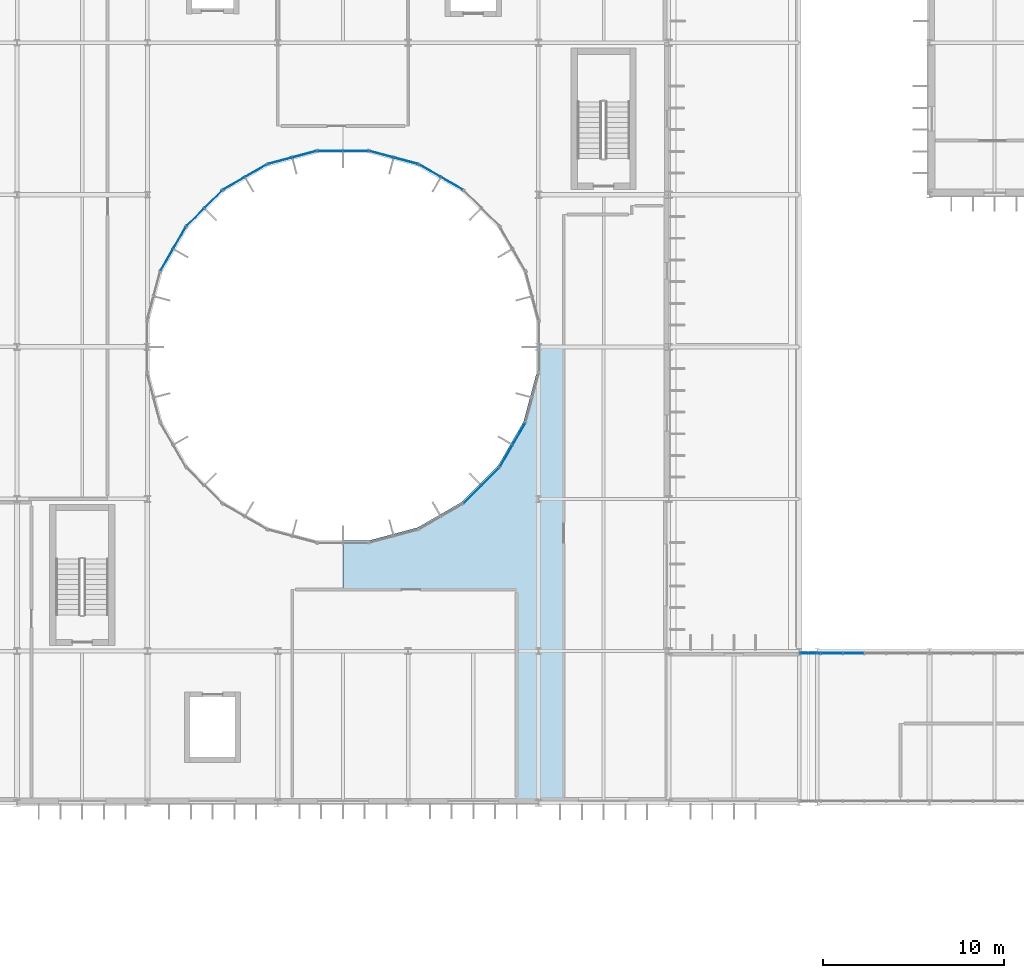
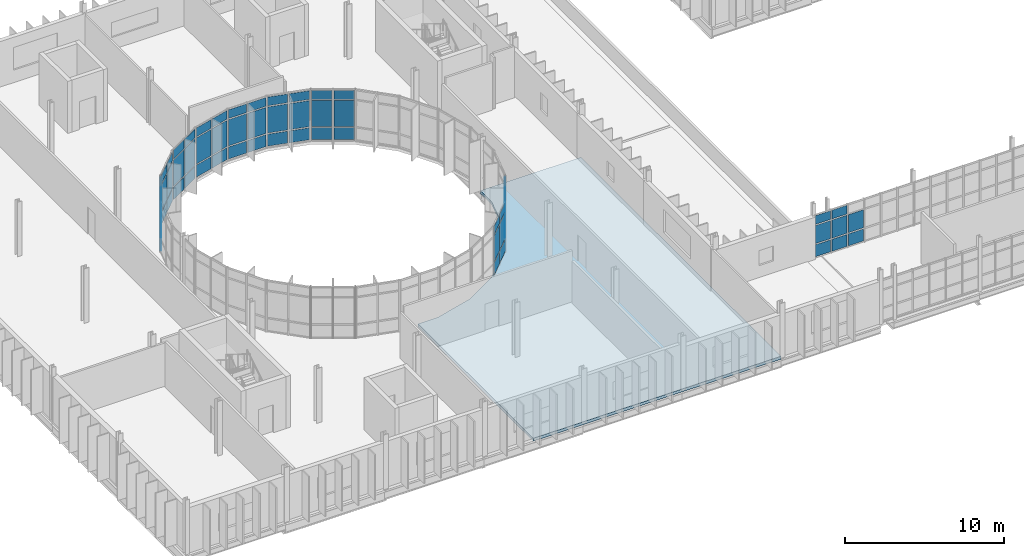
# One storey, part 61 of 99: 62 plates, 1 slab, 10 elements without a shape of their own.
"""IFC4 building model written with IfcOpenShell, lengths in metres."""

from ifc_helpers import new_model, si_unit, direction, frame, origin, origin_2d, place, context, subcontext, project, spatial, polyline, rectangle, outline, extrude, material, layer, layer_set, type_object, element, aggregate, save


model = new_model("IFC4")

# Units and contexts
model_context = context("Model", 3, precision=1e-05, world=origin(), true_north=direction((0.0, 1.0)))
body_context = subcontext(model_context, "Body", "Model", "MODEL_VIEW")
ifc_project = project(units=[si_unit("LENGTHUNIT", "METRE"), si_unit("AREAUNIT", "SQUARE_METRE"), si_unit("VOLUMEUNIT", "CUBIC_METRE"), si_unit("PLANEANGLEUNIT", "RADIAN"), si_unit("MASSUNIT", "GRAM", prefix="KILO")], contexts=[model_context])

# Site, building, storey
site_placement = place(None, origin())
site = spatial("IfcSite", under=ifc_project, at=site_placement, CompositionType="ELEMENT")
building_placement = place(site_placement, origin())
building = spatial("IfcBuilding", under=site, at=building_placement, Name="Qelthora Terrace Specialist Clinic", CompositionType="ELEMENT")
storey_placement = place(building_placement, frame((0.0, 0.0, 9.0)))
storey = spatial("IfcBuildingStorey", under=building, at=storey_placement, Name="L02", CompositionType="ELEMENT", Elevation=9.0)

# Curtain wall, plates
ifc_material_1 = material(Name="Aluminium anodized bronze", Category="aluminium")
curtain_wall_type_1 = type_object("IfcCurtainWallType", Name="CW-CRTW-UPP", PredefinedType="NOTDEFINED", material=ifc_material_1)
curtain_wall_1_placement = place(storey_placement, origin())
curtain_wall_1 = element("IfcCurtainWall", 1, at=curtain_wall_1_placement, inside=storey, type_object=curtain_wall_type_1, Name="Curtain wall CW-CW-L02-04", PredefinedType="NOTDEFINED")
ifc_material_2 = material(Name="Low-E triple-silver insulating glass", Category="glass")
ifc_layer_1 = layer(ifc_material_2, 0.035888671875)
ifc_layer_set_1 = layer_set([ifc_layer_1], Name="Low-E triple-silver insulating glass")
plate_type = type_object("IfcPlateType", Name="CWP-IGU-36", PredefinedType="CURTAIN_PANEL", material=ifc_layer_set_1)
plate_1_placement = place(storey_placement, frame((31.22412109375, 93.024658203125, 0.0849609375), z_axis=(0.0, 0.0, 1.0), x_axis=(-0.866025403784, 0.5, 0.0)))
plate_1 = element("IfcPlate", 2, at=plate_1_placement, type_object=plate_type, Name="CW-CW-L02-04 glazed panel 1", PredefinedType="CURTAIN_PANEL", context=body_context, shape_type="SweptSolid", body=[
    extrude(rectangle(XDim=1.3095703125, YDim=0.035888671875, at=origin_2d()), origin(), (0.0, 0.0, 1.0), 0.919921875),
])
plate_2_placement = place(storey_placement, frame((31.22412109375, 93.024658203125, 1.094970703125), z_axis=(0.0, 0.0, 1.0), x_axis=(-0.866025403784, 0.5, 0.0)))
plate_2 = element("IfcPlate", 3, at=plate_2_placement, type_object=plate_type, Name="CW-CW-L02-04 glazed panel 2", PredefinedType="CURTAIN_PANEL", context=body_context, shape_type="SweptSolid", body=[
    extrude(rectangle(XDim=1.3095703125, YDim=0.035888671875, at=origin_2d()), origin(), (0.0, 0.0, 1.0), 2.0048828125),
])
plate_3_placement = place(storey_placement, frame((31.22412109375, 93.024658203125, 3.18994140625), z_axis=(0.0, 0.0, 1.0), x_axis=(-0.866025403784, 0.5, 0.0)))
plate_3 = element("IfcPlate", 4, at=plate_3_placement, type_object=plate_type, Name="CW-CW-L02-04 glazed panel 3", PredefinedType="CURTAIN_PANEL", context=body_context, shape_type="SweptSolid", body=[
    extrude(rectangle(XDim=1.3095703125, YDim=0.035888671875, at=origin_2d()), origin(), (0.0, 0.0, 1.0), 0.669921875),
])
plate_4_placement = place(storey_placement, frame((30.00341796875, 93.7294921875, 0.0849609375), z_axis=(0.0, 0.0, 1.0), x_axis=(-0.866025403784, 0.5, 0.0)))
plate_4 = element("IfcPlate", 5, at=plate_4_placement, type_object=plate_type, Name="CW-CW-L02-04 glazed panel 4", PredefinedType="CURTAIN_PANEL", context=body_context, shape_type="SweptSolid", body=[
    extrude(rectangle(XDim=1.3095703125, YDim=0.035888671875, at=origin_2d()), origin(), (0.0, 0.0, 1.0), 0.919921875),
])
plate_5_placement = place(storey_placement, frame((30.00341796875, 93.7294921875, 1.094970703125), z_axis=(0.0, 0.0, 1.0), x_axis=(-0.866025403784, 0.5, 0.0)))
plate_5 = element("IfcPlate", 6, at=plate_5_placement, type_object=plate_type, Name="CW-CW-L02-04 glazed panel 5", PredefinedType="CURTAIN_PANEL", context=body_context, shape_type="SweptSolid", body=[
    extrude(rectangle(XDim=1.3095703125, YDim=0.035888671875, at=origin_2d()), origin(), (0.0, 0.0, 1.0), 2.0048828125),
])
plate_6_placement = place(storey_placement, frame((30.00341796875, 93.7294921875, 3.18994140625), z_axis=(0.0, 0.0, 1.0), x_axis=(-0.866025403784, 0.5, 0.0)))
plate_6 = element("IfcPlate", 7, at=plate_6_placement, type_object=plate_type, Name="CW-CW-L02-04 glazed panel 6", PredefinedType="CURTAIN_PANEL", context=body_context, shape_type="SweptSolid", body=[
    extrude(rectangle(XDim=1.3095703125, YDim=0.035888671875, at=origin_2d()), origin(), (0.0, 0.0, 1.0), 0.669921875),
])
aggregate(curtain_wall_1, [plate_1, plate_2, plate_3, plate_4, plate_5, plate_6])

curtain_wall_2_placement = place(storey_placement, origin())
curtain_wall_2 = element("IfcCurtainWall", 8, at=curtain_wall_2_placement, inside=storey, type_object=curtain_wall_type_1, Name="Curtain wall CW-CW-L02-05", PredefinedType="NOTDEFINED")
plate_7_placement = place(storey_placement, frame((28.68310546875, 94.276123046875, 0.0849609375), z_axis=(0.0, 0.0, 1.0), x_axis=(-0.965925374563, 0.258820730961, 0.0)))
plate_7 = element("IfcPlate", 9, at=plate_7_placement, type_object=plate_type, Name="CW-CW-L02-05 glazed panel 1", PredefinedType="CURTAIN_PANEL", context=body_context, shape_type="SweptSolid", body=[
    extrude(rectangle(XDim=1.3095703125, YDim=0.035888671875, at=origin_2d()), origin(), (0.0, 0.0, 1.0), 0.919921875),
])
plate_8_placement = place(storey_placement, frame((28.68310546875, 94.276123046875, 1.094970703125), z_axis=(0.0, 0.0, 1.0), x_axis=(-0.965925374563, 0.258820730961, 0.0)))
plate_8 = element("IfcPlate", 10, at=plate_8_placement, type_object=plate_type, Name="CW-CW-L02-05 glazed panel 2", PredefinedType="CURTAIN_PANEL", context=body_context, shape_type="SweptSolid", body=[
    extrude(rectangle(XDim=1.3095703125, YDim=0.035888671875, at=origin_2d()), origin(), (0.0, 0.0, 1.0), 2.0048828125),
])
plate_9_placement = place(storey_placement, frame((28.68310546875, 94.276123046875, 3.18994140625), z_axis=(0.0, 0.0, 1.0), x_axis=(-0.965925374563, 0.258820730961, 0.0)))
plate_9 = element("IfcPlate", 11, at=plate_9_placement, type_object=plate_type, Name="CW-CW-L02-05 glazed panel 3", PredefinedType="CURTAIN_PANEL", context=body_context, shape_type="SweptSolid", body=[
    extrude(rectangle(XDim=1.3095703125, YDim=0.035888671875, at=origin_2d()), origin(), (0.0, 0.0, 1.0), 0.669921875),
])
plate_10_placement = place(storey_placement, frame((27.321533203125, 94.64111328125, 0.0849609375), z_axis=(0.0, 0.0, 1.0), x_axis=(-0.965925374563, 0.258820730961, 0.0)))
plate_10 = element("IfcPlate", 12, at=plate_10_placement, type_object=plate_type, Name="CW-CW-L02-05 glazed panel 4", PredefinedType="CURTAIN_PANEL", context=body_context, shape_type="SweptSolid", body=[
    extrude(rectangle(XDim=1.3095703125, YDim=0.035888671875, at=origin_2d()), origin(), (0.0, 0.0, 1.0), 0.919921875),
])
plate_11_placement = place(storey_placement, frame((27.321533203125, 94.64111328125, 1.094970703125), z_axis=(0.0, 0.0, 1.0), x_axis=(-0.965925374563, 0.258820730961, 0.0)))
plate_11 = element("IfcPlate", 13, at=plate_11_placement, type_object=plate_type, Name="CW-CW-L02-05 glazed panel 5", PredefinedType="CURTAIN_PANEL", context=body_context, shape_type="SweptSolid", body=[
    extrude(rectangle(XDim=1.3095703125, YDim=0.035888671875, at=origin_2d()), origin(), (0.0, 0.0, 1.0), 2.0048828125),
])
plate_12_placement = place(storey_placement, frame((27.321533203125, 94.64111328125, 3.18994140625), z_axis=(0.0, 0.0, 1.0), x_axis=(-0.965925374563, 0.258820730961, 0.0)))
plate_12 = element("IfcPlate", 14, at=plate_12_placement, type_object=plate_type, Name="CW-CW-L02-05 glazed panel 6", PredefinedType="CURTAIN_PANEL", context=body_context, shape_type="SweptSolid", body=[
    extrude(rectangle(XDim=1.3095703125, YDim=0.035888671875, at=origin_2d()), origin(), (0.0, 0.0, 1.0), 0.669921875),
])
aggregate(curtain_wall_2, [plate_7, plate_8, plate_9, plate_10, plate_11, plate_12])

curtain_wall_3_placement = place(storey_placement, origin())
curtain_wall_3 = element("IfcCurtainWall", 15, at=curtain_wall_3_placement, inside=storey, type_object=curtain_wall_type_1, Name="Curtain wall CW-CW-L02-06", PredefinedType="NOTDEFINED")
plate_13_placement = place(storey_placement, frame((25.90478515625, 94.82763671875, 0.0849609375), z_axis=(0.0, 0.0, 1.0), x_axis=(-1.0, 0.0, 0.0)))
plate_13 = element("IfcPlate", 16, at=plate_13_placement, type_object=plate_type, Name="CW-CW-L02-06 glazed panel 1", PredefinedType="CURTAIN_PANEL", context=body_context, shape_type="SweptSolid", body=[
    extrude(rectangle(XDim=1.3095703125, YDim=0.035888671875, at=origin_2d()), origin(), (0.0, 0.0, 1.0), 0.919921875),
])
plate_14_placement = place(storey_placement, frame((25.90478515625, 94.82763671875, 1.094970703125), z_axis=(0.0, 0.0, 1.0), x_axis=(-1.0, 0.0, 0.0)))
plate_14 = element("IfcPlate", 17, at=plate_14_placement, type_object=plate_type, Name="CW-CW-L02-06 glazed panel 2", PredefinedType="CURTAIN_PANEL", context=body_context, shape_type="SweptSolid", body=[
    extrude(rectangle(XDim=1.3095703125, YDim=0.035888671875, at=origin_2d()), origin(), (0.0, 0.0, 1.0), 2.0048828125),
])
plate_15_placement = place(storey_placement, frame((25.90478515625, 94.82763671875, 3.18994140625), z_axis=(0.0, 0.0, 1.0), x_axis=(-1.0, 0.0, 0.0)))
plate_15 = element("IfcPlate", 18, at=plate_15_placement, type_object=plate_type, Name="CW-CW-L02-06 glazed panel 3", PredefinedType="CURTAIN_PANEL", context=body_context, shape_type="SweptSolid", body=[
    extrude(rectangle(XDim=1.3095703125, YDim=0.035888671875, at=origin_2d()), origin(), (0.0, 0.0, 1.0), 0.669921875),
])
plate_16_placement = place(storey_placement, frame((24.4951171875, 94.82763671875, 0.0849609375), z_axis=(0.0, 0.0, 1.0), x_axis=(-1.0, 0.0, 0.0)))
plate_16 = element("IfcPlate", 19, at=plate_16_placement, type_object=plate_type, Name="CW-CW-L02-06 glazed panel 4", PredefinedType="CURTAIN_PANEL", context=body_context, shape_type="SweptSolid", body=[
    extrude(rectangle(XDim=1.3095703125, YDim=0.035888671875, at=origin_2d()), origin(), (0.0, 0.0, 1.0), 0.919921875),
])
plate_17_placement = place(storey_placement, frame((24.4951171875, 94.82763671875, 1.094970703125), z_axis=(0.0, 0.0, 1.0), x_axis=(-1.0, 0.0, 0.0)))
plate_17 = element("IfcPlate", 20, at=plate_17_placement, type_object=plate_type, Name="CW-CW-L02-06 glazed panel 5", PredefinedType="CURTAIN_PANEL", context=body_context, shape_type="SweptSolid", body=[
    extrude(rectangle(XDim=1.3095703125, YDim=0.035888671875, at=origin_2d()), origin(), (0.0, 0.0, 1.0), 2.0048828125),
])
plate_18_placement = place(storey_placement, frame((24.4951171875, 94.82763671875, 3.18994140625), z_axis=(0.0, 0.0, 1.0), x_axis=(-1.0, 0.0, 0.0)))
plate_18 = element("IfcPlate", 21, at=plate_18_placement, type_object=plate_type, Name="CW-CW-L02-06 glazed panel 6", PredefinedType="CURTAIN_PANEL", context=body_context, shape_type="SweptSolid", body=[
    extrude(rectangle(XDim=1.3095703125, YDim=0.035888671875, at=origin_2d()), origin(), (0.0, 0.0, 1.0), 0.669921875),
])
aggregate(curtain_wall_3, [plate_13, plate_14, plate_15, plate_16, plate_17, plate_18])

curtain_wall_4_placement = place(storey_placement, origin())
curtain_wall_4 = element("IfcCurtainWall", 22, at=curtain_wall_4_placement, inside=storey, type_object=curtain_wall_type_1, Name="Curtain wall CW-CW-L02-07", PredefinedType="NOTDEFINED")
plate_19_placement = place(storey_placement, frame((23.078369140625, 94.64111328125, 0.0849609375), z_axis=(0.0, 0.0, 1.0), x_axis=(-0.965925374563, -0.258820730961, 0.0)))
plate_19 = element("IfcPlate", 23, at=plate_19_placement, type_object=plate_type, Name="CW-CW-L02-07 glazed panel 1", PredefinedType="CURTAIN_PANEL", context=body_context, shape_type="SweptSolid", body=[
    extrude(rectangle(XDim=1.3095703125, YDim=0.035888671875, at=origin_2d()), origin(), (0.0, 0.0, 1.0), 0.919921875),
])
plate_20_placement = place(storey_placement, frame((23.078369140625, 94.64111328125, 1.094970703125), z_axis=(0.0, 0.0, 1.0), x_axis=(-0.965925374563, -0.258820730961, 0.0)))
plate_20 = element("IfcPlate", 24, at=plate_20_placement, type_object=plate_type, Name="CW-CW-L02-07 glazed panel 2", PredefinedType="CURTAIN_PANEL", context=body_context, shape_type="SweptSolid", body=[
    extrude(rectangle(XDim=1.3095703125, YDim=0.035888671875, at=origin_2d()), origin(), (0.0, 0.0, 1.0), 2.0048828125),
])
plate_21_placement = place(storey_placement, frame((23.078369140625, 94.64111328125, 3.18994140625), z_axis=(0.0, 0.0, 1.0), x_axis=(-0.965925374563, -0.258820730961, 0.0)))
plate_21 = element("IfcPlate", 25, at=plate_21_placement, type_object=plate_type, Name="CW-CW-L02-07 glazed panel 3", PredefinedType="CURTAIN_PANEL", context=body_context, shape_type="SweptSolid", body=[
    extrude(rectangle(XDim=1.3095703125, YDim=0.035888671875, at=origin_2d()), origin(), (0.0, 0.0, 1.0), 0.669921875),
])
plate_22_placement = place(storey_placement, frame((21.716796875, 94.276123046875, 0.0849609375), z_axis=(0.0, 0.0, 1.0), x_axis=(-0.965925374563, -0.258820730961, 0.0)))
plate_22 = element("IfcPlate", 26, at=plate_22_placement, type_object=plate_type, Name="CW-CW-L02-07 glazed panel 4", PredefinedType="CURTAIN_PANEL", context=body_context, shape_type="SweptSolid", body=[
    extrude(rectangle(XDim=1.3095703125, YDim=0.035888671875, at=origin_2d()), origin(), (0.0, 0.0, 1.0), 0.919921875),
])
plate_23_placement = place(storey_placement, frame((21.716796875, 94.276123046875, 1.094970703125), z_axis=(0.0, 0.0, 1.0), x_axis=(-0.965925374563, -0.258820730961, 0.0)))
plate_23 = element("IfcPlate", 27, at=plate_23_placement, type_object=plate_type, Name="CW-CW-L02-07 glazed panel 5", PredefinedType="CURTAIN_PANEL", context=body_context, shape_type="SweptSolid", body=[
    extrude(rectangle(XDim=1.3095703125, YDim=0.035888671875, at=origin_2d()), origin(), (0.0, 0.0, 1.0), 2.0048828125),
])
plate_24_placement = place(storey_placement, frame((21.716796875, 94.276123046875, 3.18994140625), z_axis=(0.0, 0.0, 1.0), x_axis=(-0.965925374563, -0.258820730961, 0.0)))
plate_24 = element("IfcPlate", 28, at=plate_24_placement, type_object=plate_type, Name="CW-CW-L02-07 glazed panel 6", PredefinedType="CURTAIN_PANEL", context=body_context, shape_type="SweptSolid", body=[
    extrude(rectangle(XDim=1.3095703125, YDim=0.035888671875, at=origin_2d()), origin(), (0.0, 0.0, 1.0), 0.669921875),
])
aggregate(curtain_wall_4, [plate_19, plate_20, plate_21, plate_22, plate_23, plate_24])

curtain_wall_5_placement = place(storey_placement, origin())
curtain_wall_5 = element("IfcCurtainWall", 29, at=curtain_wall_5_placement, inside=storey, type_object=curtain_wall_type_1, Name="Curtain wall CW-CW-L02-08", PredefinedType="NOTDEFINED")
plate_25_placement = place(storey_placement, frame((20.396728515625, 93.7294921875, 0.0849609375), z_axis=(0.0, 0.0, 1.0), x_axis=(-0.866025403784, -0.5, 0.0)))
plate_25 = element("IfcPlate", 30, at=plate_25_placement, type_object=plate_type, Name="CW-CW-L02-08 glazed panel 1", PredefinedType="CURTAIN_PANEL", context=body_context, shape_type="SweptSolid", body=[
    extrude(rectangle(XDim=1.3095703125, YDim=0.035888671875, at=origin_2d()), origin(), (0.0, 0.0, 1.0), 0.919921875),
])
plate_26_placement = place(storey_placement, frame((20.396728515625, 93.7294921875, 1.094970703125), z_axis=(0.0, 0.0, 1.0), x_axis=(-0.866025403784, -0.5, 0.0)))
plate_26 = element("IfcPlate", 31, at=plate_26_placement, type_object=plate_type, Name="CW-CW-L02-08 glazed panel 2", PredefinedType="CURTAIN_PANEL", context=body_context, shape_type="SweptSolid", body=[
    extrude(rectangle(XDim=1.3095703125, YDim=0.035888671875, at=origin_2d()), origin(), (0.0, 0.0, 1.0), 2.0048828125),
])
plate_27_placement = place(storey_placement, frame((20.396728515625, 93.7294921875, 3.18994140625), z_axis=(0.0, 0.0, 1.0), x_axis=(-0.866025403784, -0.5, 0.0)))
plate_27 = element("IfcPlate", 32, at=plate_27_placement, type_object=plate_type, Name="CW-CW-L02-08 glazed panel 3", PredefinedType="CURTAIN_PANEL", context=body_context, shape_type="SweptSolid", body=[
    extrude(rectangle(XDim=1.3095703125, YDim=0.035888671875, at=origin_2d()), origin(), (0.0, 0.0, 1.0), 0.669921875),
])
plate_28_placement = place(storey_placement, frame((19.17578125, 93.024658203125, 0.0849609375), z_axis=(0.0, 0.0, 1.0), x_axis=(-0.866025403784, -0.5, 0.0)))
plate_28 = element("IfcPlate", 33, at=plate_28_placement, type_object=plate_type, Name="CW-CW-L02-08 glazed panel 4", PredefinedType="CURTAIN_PANEL", context=body_context, shape_type="SweptSolid", body=[
    extrude(rectangle(XDim=1.3095703125, YDim=0.035888671875, at=origin_2d()), origin(), (0.0, 0.0, 1.0), 0.919921875),
])
plate_29_placement = place(storey_placement, frame((19.17578125, 93.024658203125, 1.094970703125), z_axis=(0.0, 0.0, 1.0), x_axis=(-0.866025403784, -0.5, 0.0)))
plate_29 = element("IfcPlate", 34, at=plate_29_placement, type_object=plate_type, Name="CW-CW-L02-08 glazed panel 5", PredefinedType="CURTAIN_PANEL", context=body_context, shape_type="SweptSolid", body=[
    extrude(rectangle(XDim=1.3095703125, YDim=0.035888671875, at=origin_2d()), origin(), (0.0, 0.0, 1.0), 2.0048828125),
])
plate_30_placement = place(storey_placement, frame((19.17578125, 93.024658203125, 3.18994140625), z_axis=(0.0, 0.0, 1.0), x_axis=(-0.866025403784, -0.5, 0.0)))
plate_30 = element("IfcPlate", 35, at=plate_30_placement, type_object=plate_type, Name="CW-CW-L02-08 glazed panel 6", PredefinedType="CURTAIN_PANEL", context=body_context, shape_type="SweptSolid", body=[
    extrude(rectangle(XDim=1.3095703125, YDim=0.035888671875, at=origin_2d()), origin(), (0.0, 0.0, 1.0), 0.669921875),
])
aggregate(curtain_wall_5, [plate_25, plate_26, plate_27, plate_28, plate_29, plate_30])

curtain_wall_6_placement = place(storey_placement, origin())
curtain_wall_6 = element("IfcCurtainWall", 36, at=curtain_wall_6_placement, inside=storey, type_object=curtain_wall_type_1, Name="Curtain wall CW-CW-L02-09", PredefinedType="NOTDEFINED")
plate_31_placement = place(storey_placement, frame((18.042236328125, 92.15478515625, 0.0849609375), z_axis=(0.0, 0.0, 1.0), x_axis=(-0.707106781187, -0.707106781187, 0.0)))
plate_31 = element("IfcPlate", 37, at=plate_31_placement, type_object=plate_type, Name="CW-CW-L02-09 glazed panel 1", PredefinedType="CURTAIN_PANEL", context=body_context, shape_type="SweptSolid", body=[
    extrude(rectangle(XDim=1.3095703125, YDim=0.035888671875, at=origin_2d()), origin(), (0.0, 0.0, 1.0), 0.919921875),
])
plate_32_placement = place(storey_placement, frame((18.042236328125, 92.15478515625, 1.094970703125), z_axis=(0.0, 0.0, 1.0), x_axis=(-0.707106781187, -0.707106781187, 0.0)))
plate_32 = element("IfcPlate", 38, at=plate_32_placement, type_object=plate_type, Name="CW-CW-L02-09 glazed panel 2", PredefinedType="CURTAIN_PANEL", context=body_context, shape_type="SweptSolid", body=[
    extrude(rectangle(XDim=1.3095703125, YDim=0.035888671875, at=origin_2d()), origin(), (0.0, 0.0, 1.0), 2.0048828125),
])
plate_33_placement = place(storey_placement, frame((18.042236328125, 92.15478515625, 3.18994140625), z_axis=(0.0, 0.0, 1.0), x_axis=(-0.707106781187, -0.707106781187, 0.0)))
plate_33 = element("IfcPlate", 39, at=plate_33_placement, type_object=plate_type, Name="CW-CW-L02-09 glazed panel 3", PredefinedType="CURTAIN_PANEL", context=body_context, shape_type="SweptSolid", body=[
    extrude(rectangle(XDim=1.3095703125, YDim=0.035888671875, at=origin_2d()), origin(), (0.0, 0.0, 1.0), 0.669921875),
])
plate_34_placement = place(storey_placement, frame((17.04541015625, 91.157958984375, 0.0849609375), z_axis=(0.0, 0.0, 1.0), x_axis=(-0.707106781187, -0.707106781187, 0.0)))
plate_34 = element("IfcPlate", 40, at=plate_34_placement, type_object=plate_type, Name="CW-CW-L02-09 glazed panel 4", PredefinedType="CURTAIN_PANEL", context=body_context, shape_type="SweptSolid", body=[
    extrude(rectangle(XDim=1.3095703125, YDim=0.035888671875, at=origin_2d()), origin(), (0.0, 0.0, 1.0), 0.919921875),
])
plate_35_placement = place(storey_placement, frame((17.04541015625, 91.157958984375, 1.094970703125), z_axis=(0.0, 0.0, 1.0), x_axis=(-0.707106781187, -0.707106781187, 0.0)))
plate_35 = element("IfcPlate", 41, at=plate_35_placement, type_object=plate_type, Name="CW-CW-L02-09 glazed panel 5", PredefinedType="CURTAIN_PANEL", context=body_context, shape_type="SweptSolid", body=[
    extrude(rectangle(XDim=1.3095703125, YDim=0.035888671875, at=origin_2d()), origin(), (0.0, 0.0, 1.0), 2.0048828125),
])
plate_36_placement = place(storey_placement, frame((17.04541015625, 91.157958984375, 3.18994140625), z_axis=(0.0, 0.0, 1.0), x_axis=(-0.707106781187, -0.707106781187, 0.0)))
plate_36 = element("IfcPlate", 42, at=plate_36_placement, type_object=plate_type, Name="CW-CW-L02-09 glazed panel 6", PredefinedType="CURTAIN_PANEL", context=body_context, shape_type="SweptSolid", body=[
    extrude(rectangle(XDim=1.3095703125, YDim=0.035888671875, at=origin_2d()), origin(), (0.0, 0.0, 1.0), 0.669921875),
])
aggregate(curtain_wall_6, [plate_31, plate_32, plate_33, plate_34, plate_35, plate_36])

curtain_wall_7_placement = place(storey_placement, origin())
curtain_wall_7 = element("IfcCurtainWall", 43, at=curtain_wall_7_placement, inside=storey, type_object=curtain_wall_type_1, Name="Curtain wall CW-CW-L02-10", PredefinedType="NOTDEFINED")
plate_37_placement = place(storey_placement, frame((16.175537109375, 90.024169921875, 0.0849609375), z_axis=(0.0, 0.0, 1.0), x_axis=(-0.5, -0.866025403784, 0.0)))
plate_37 = element("IfcPlate", 44, at=plate_37_placement, type_object=plate_type, Name="CW-CW-L02-10 glazed panel 1", PredefinedType="CURTAIN_PANEL", context=body_context, shape_type="SweptSolid", body=[
    extrude(rectangle(XDim=1.3095703125, YDim=0.035888671875, at=origin_2d()), origin(), (0.0, 0.0, 1.0), 0.919921875),
])
plate_38_placement = place(storey_placement, frame((16.175537109375, 90.024169921875, 1.094970703125), z_axis=(0.0, 0.0, 1.0), x_axis=(-0.5, -0.866025403784, 0.0)))
plate_38 = element("IfcPlate", 45, at=plate_38_placement, type_object=plate_type, Name="CW-CW-L02-10 glazed panel 2", PredefinedType="CURTAIN_PANEL", context=body_context, shape_type="SweptSolid", body=[
    extrude(rectangle(XDim=1.3095703125, YDim=0.035888671875, at=origin_2d()), origin(), (0.0, 0.0, 1.0), 2.0048828125),
])
plate_39_placement = place(storey_placement, frame((16.175537109375, 90.024169921875, 3.18994140625), z_axis=(0.0, 0.0, 1.0), x_axis=(-0.5, -0.866025403784, 0.0)))
plate_39 = element("IfcPlate", 46, at=plate_39_placement, type_object=plate_type, Name="CW-CW-L02-10 glazed panel 3", PredefinedType="CURTAIN_PANEL", context=body_context, shape_type="SweptSolid", body=[
    extrude(rectangle(XDim=1.3095703125, YDim=0.035888671875, at=origin_2d()), origin(), (0.0, 0.0, 1.0), 0.669921875),
])
plate_40_placement = place(storey_placement, frame((15.470703125, 88.803466796875, 0.0849609375), z_axis=(0.0, 0.0, 1.0), x_axis=(-0.5, -0.866025403784, 0.0)))
plate_40 = element("IfcPlate", 47, at=plate_40_placement, type_object=plate_type, Name="CW-CW-L02-10 glazed panel 4", PredefinedType="CURTAIN_PANEL", context=body_context, shape_type="SweptSolid", body=[
    extrude(rectangle(XDim=1.3095703125, YDim=0.035888671875, at=origin_2d()), origin(), (0.0, 0.0, 1.0), 0.919921875),
])
plate_41_placement = place(storey_placement, frame((15.470703125, 88.803466796875, 1.094970703125), z_axis=(0.0, 0.0, 1.0), x_axis=(-0.5, -0.866025403784, 0.0)))
plate_41 = element("IfcPlate", 48, at=plate_41_placement, type_object=plate_type, Name="CW-CW-L02-10 glazed panel 5", PredefinedType="CURTAIN_PANEL", context=body_context, shape_type="SweptSolid", body=[
    extrude(rectangle(XDim=1.3095703125, YDim=0.035888671875, at=origin_2d()), origin(), (0.0, 0.0, 1.0), 2.0048828125),
])
plate_42_placement = place(storey_placement, frame((15.470703125, 88.803466796875, 3.18994140625), z_axis=(0.0, 0.0, 1.0), x_axis=(-0.5, -0.866025403784, 0.0)))
plate_42 = element("IfcPlate", 49, at=plate_42_placement, type_object=plate_type, Name="CW-CW-L02-10 glazed panel 6", PredefinedType="CURTAIN_PANEL", context=body_context, shape_type="SweptSolid", body=[
    extrude(rectangle(XDim=1.3095703125, YDim=0.035888671875, at=origin_2d()), origin(), (0.0, 0.0, 1.0), 0.669921875),
])
aggregate(curtain_wall_7, [plate_37, plate_38, plate_39, plate_40, plate_41, plate_42])

curtain_wall_8_placement = place(storey_placement, origin())
curtain_wall_8 = element("IfcCurtainWall", 50, at=curtain_wall_8_placement, inside=storey, type_object=curtain_wall_type_1, Name="Curtain wall CW-CW-L02-21", PredefinedType="NOTDEFINED")
plate_43_placement = place(storey_placement, frame((32.35791015625, 75.84521484375, 0.0849609375), z_axis=(0.0, 0.0, 1.0), x_axis=(0.707106781187, 0.707106781187, 0.0)))
plate_43 = element("IfcPlate", 51, at=plate_43_placement, type_object=plate_type, Name="CW-CW-L02-21 glazed panel 1", PredefinedType="CURTAIN_PANEL", context=body_context, shape_type="SweptSolid", body=[
    extrude(rectangle(XDim=1.3095703125, YDim=0.035888671875, at=origin_2d()), origin(), (0.0, 0.0, 1.0), 0.919921875),
])
plate_44_placement = place(storey_placement, frame((32.35791015625, 75.84521484375, 1.094970703125), z_axis=(0.0, 0.0, 1.0), x_axis=(0.707106781187, 0.707106781187, 0.0)))
plate_44 = element("IfcPlate", 52, at=plate_44_placement, type_object=plate_type, Name="CW-CW-L02-21 glazed panel 2", PredefinedType="CURTAIN_PANEL", context=body_context, shape_type="SweptSolid", body=[
    extrude(rectangle(XDim=1.3095703125, YDim=0.035888671875, at=origin_2d()), origin(), (0.0, 0.0, 1.0), 2.0048828125),
])
plate_45_placement = place(storey_placement, frame((32.35791015625, 75.84521484375, 3.18994140625), z_axis=(0.0, 0.0, 1.0), x_axis=(0.707106781187, 0.707106781187, 0.0)))
plate_45 = element("IfcPlate", 53, at=plate_45_placement, type_object=plate_type, Name="CW-CW-L02-21 glazed panel 3", PredefinedType="CURTAIN_PANEL", context=body_context, shape_type="SweptSolid", body=[
    extrude(rectangle(XDim=1.3095703125, YDim=0.035888671875, at=origin_2d()), origin(), (0.0, 0.0, 1.0), 0.669921875),
])
plate_46_placement = place(storey_placement, frame((33.354736328125, 76.842041015625, 0.0849609375), z_axis=(0.0, 0.0, 1.0), x_axis=(0.707106781187, 0.707106781187, 0.0)))
plate_46 = element("IfcPlate", 54, at=plate_46_placement, type_object=plate_type, Name="CW-CW-L02-21 glazed panel 4", PredefinedType="CURTAIN_PANEL", context=body_context, shape_type="SweptSolid", body=[
    extrude(rectangle(XDim=1.3095703125, YDim=0.035888671875, at=origin_2d()), origin(), (0.0, 0.0, 1.0), 0.919921875),
])
plate_47_placement = place(storey_placement, frame((33.354736328125, 76.842041015625, 1.094970703125), z_axis=(0.0, 0.0, 1.0), x_axis=(0.707106781187, 0.707106781187, 0.0)))
plate_47 = element("IfcPlate", 55, at=plate_47_placement, type_object=plate_type, Name="CW-CW-L02-21 glazed panel 5", PredefinedType="CURTAIN_PANEL", context=body_context, shape_type="SweptSolid", body=[
    extrude(rectangle(XDim=1.3095703125, YDim=0.035888671875, at=origin_2d()), origin(), (0.0, 0.0, 1.0), 2.0048828125),
])
plate_48_placement = place(storey_placement, frame((33.354736328125, 76.842041015625, 3.18994140625), z_axis=(0.0, 0.0, 1.0), x_axis=(0.707106781187, 0.707106781187, 0.0)))
plate_48 = element("IfcPlate", 56, at=plate_48_placement, type_object=plate_type, Name="CW-CW-L02-21 glazed panel 6", PredefinedType="CURTAIN_PANEL", context=body_context, shape_type="SweptSolid", body=[
    extrude(rectangle(XDim=1.3095703125, YDim=0.035888671875, at=origin_2d()), origin(), (0.0, 0.0, 1.0), 0.669921875),
])
aggregate(curtain_wall_8, [plate_43, plate_44, plate_45, plate_46, plate_47, plate_48])

curtain_wall_9_placement = place(storey_placement, origin())
curtain_wall_9 = element("IfcCurtainWall", 57, at=curtain_wall_9_placement, inside=storey, type_object=curtain_wall_type_1, Name="Curtain wall CW-CW-L02-22", PredefinedType="NOTDEFINED")
plate_49_placement = place(storey_placement, frame((34.224609375, 77.975830078125, 0.0849609375), z_axis=(0.0, 0.0, 1.0), x_axis=(0.5, 0.866025403784, 0.0)))
plate_49 = element("IfcPlate", 58, at=plate_49_placement, type_object=plate_type, Name="CW-CW-L02-22 glazed panel 1", PredefinedType="CURTAIN_PANEL", context=body_context, shape_type="SweptSolid", body=[
    extrude(rectangle(XDim=1.3095703125, YDim=0.035888671875, at=origin_2d()), origin(), (0.0, 0.0, 1.0), 0.919921875),
])
plate_50_placement = place(storey_placement, frame((34.224609375, 77.975830078125, 1.094970703125), z_axis=(0.0, 0.0, 1.0), x_axis=(0.5, 0.866025403784, 0.0)))
plate_50 = element("IfcPlate", 59, at=plate_50_placement, type_object=plate_type, Name="CW-CW-L02-22 glazed panel 2", PredefinedType="CURTAIN_PANEL", context=body_context, shape_type="SweptSolid", body=[
    extrude(rectangle(XDim=1.3095703125, YDim=0.035888671875, at=origin_2d()), origin(), (0.0, 0.0, 1.0), 2.0048828125),
])
plate_51_placement = place(storey_placement, frame((34.224609375, 77.975830078125, 3.18994140625), z_axis=(0.0, 0.0, 1.0), x_axis=(0.5, 0.866025403784, 0.0)))
plate_51 = element("IfcPlate", 60, at=plate_51_placement, type_object=plate_type, Name="CW-CW-L02-22 glazed panel 3", PredefinedType="CURTAIN_PANEL", context=body_context, shape_type="SweptSolid", body=[
    extrude(rectangle(XDim=1.3095703125, YDim=0.035888671875, at=origin_2d()), origin(), (0.0, 0.0, 1.0), 0.669921875),
])
plate_52_placement = place(storey_placement, frame((34.929443359375, 79.196533203125, 0.0849609375), z_axis=(0.0, 0.0, 1.0), x_axis=(0.5, 0.866025403784, 0.0)))
plate_52 = element("IfcPlate", 61, at=plate_52_placement, type_object=plate_type, Name="CW-CW-L02-22 glazed panel 4", PredefinedType="CURTAIN_PANEL", context=body_context, shape_type="SweptSolid", body=[
    extrude(rectangle(XDim=1.3095703125, YDim=0.035888671875, at=origin_2d()), origin(), (0.0, 0.0, 1.0), 0.919921875),
])
plate_53_placement = place(storey_placement, frame((34.929443359375, 79.196533203125, 1.094970703125), z_axis=(0.0, 0.0, 1.0), x_axis=(0.5, 0.866025403784, 0.0)))
plate_53 = element("IfcPlate", 62, at=plate_53_placement, type_object=plate_type, Name="CW-CW-L02-22 glazed panel 5", PredefinedType="CURTAIN_PANEL", context=body_context, shape_type="SweptSolid", body=[
    extrude(rectangle(XDim=1.3095703125, YDim=0.035888671875, at=origin_2d()), origin(), (0.0, 0.0, 1.0), 2.0048828125),
])
plate_54_placement = place(storey_placement, frame((34.929443359375, 79.196533203125, 3.18994140625), z_axis=(0.0, 0.0, 1.0), x_axis=(0.5, 0.866025403784, 0.0)))
plate_54 = element("IfcPlate", 63, at=plate_54_placement, type_object=plate_type, Name="CW-CW-L02-22 glazed panel 6", PredefinedType="CURTAIN_PANEL", context=body_context, shape_type="SweptSolid", body=[
    extrude(rectangle(XDim=1.3095703125, YDim=0.035888671875, at=origin_2d()), origin(), (0.0, 0.0, 1.0), 0.669921875),
])
aggregate(curtain_wall_9, [plate_49, plate_50, plate_51, plate_52, plate_53, plate_54])

curtain_wall_type_2 = type_object("IfcCurtainWallType", Name="CW-BRG-L02", PredefinedType="NOTDEFINED", material=ifc_material_1)
curtain_wall_10_placement = place(storey_placement, origin())
curtain_wall_10 = element("IfcCurtainWall", 64, at=curtain_wall_10_placement, inside=storey, type_object=curtain_wall_type_2, Name="Curtain wall CW-L02-256", PredefinedType="NOTDEFINED")
plate_55_placement = place(storey_placement, frame((51.0, 67.080078125, 0.0849609375), z_axis=(0.0, 0.0, 1.0), x_axis=(1.0, 0.0, 0.0)))
plate_55 = element("IfcPlate", 65, at=plate_55_placement, type_object=plate_type, Name="CW-L02-256 glazed panel 1", PredefinedType="CURTAIN_PANEL", context=body_context, shape_type="SweptSolid", body=[
    extrude(rectangle(XDim=1.10009765625, YDim=0.035888671875, at=origin_2d()), origin(), (0.0, 0.0, 1.0), 0.919921875),
])
plate_56_placement = place(storey_placement, frame((51.0, 67.080078125, 1.09521484375), z_axis=(0.0, 0.0, 1.0), x_axis=(1.0, 0.0, 0.0)))
plate_56 = element("IfcPlate", 66, at=plate_56_placement, type_object=plate_type, Name="CW-L02-256 glazed panel 2", PredefinedType="CURTAIN_PANEL", context=body_context, shape_type="SweptSolid", body=[
    extrude(rectangle(XDim=1.10009765625, YDim=0.035888671875, at=origin_2d()), origin(), (0.0, 0.0, 1.0), 1.385009765625),
])
plate_57_placement = place(storey_placement, frame((51.0, 67.080078125, 2.570068359375), z_axis=(0.0, 0.0, 1.0), x_axis=(1.0, 0.0, 0.0)))
plate_57 = element("IfcPlate", 67, at=plate_57_placement, type_object=plate_type, Name="CW-L02-256 glazed panel 3", PredefinedType="CURTAIN_PANEL", context=body_context, shape_type="SweptSolid", body=[
    extrude(rectangle(XDim=1.10009765625, YDim=0.035888671875, at=origin_2d()), origin(), (0.0, 0.0, 1.0), 0.669921875),
])
plate_58_placement = place(storey_placement, frame((52.199951171875, 67.080078125, 0.0849609375), z_axis=(0.0, 0.0, 1.0), x_axis=(1.0, 0.0, 0.0)))
plate_58 = element("IfcPlate", 68, at=plate_58_placement, type_object=plate_type, Name="CW-L02-256 glazed panel 4", PredefinedType="CURTAIN_PANEL", context=body_context, shape_type="SweptSolid", body=[
    extrude(rectangle(XDim=1.10009765625, YDim=0.035888671875, at=origin_2d()), origin(), (0.0, 0.0, 1.0), 0.919921875),
])
plate_59_placement = place(storey_placement, frame((52.199951171875, 67.080078125, 1.09521484375), z_axis=(0.0, 0.0, 1.0), x_axis=(1.0, 0.0, 0.0)))
plate_59 = element("IfcPlate", 69, at=plate_59_placement, type_object=plate_type, Name="CW-L02-256 glazed panel 5", PredefinedType="CURTAIN_PANEL", context=body_context, shape_type="SweptSolid", body=[
    extrude(rectangle(XDim=1.10009765625, YDim=0.035888671875, at=origin_2d()), origin(), (0.0, 0.0, 1.0), 1.385009765625),
])
plate_60_placement = place(storey_placement, frame((52.199951171875, 67.080078125, 2.570068359375), z_axis=(0.0, 0.0, 1.0), x_axis=(1.0, 0.0, 0.0)))
plate_60 = element("IfcPlate", 70, at=plate_60_placement, type_object=plate_type, Name="CW-L02-256 glazed panel 6", PredefinedType="CURTAIN_PANEL", context=body_context, shape_type="SweptSolid", body=[
    extrude(rectangle(XDim=1.10009765625, YDim=0.035888671875, at=origin_2d()), origin(), (0.0, 0.0, 1.0), 0.669921875),
])
plate_61_placement = place(storey_placement, frame((53.39990234375, 67.080078125, 0.0849609375), z_axis=(0.0, 0.0, 1.0), x_axis=(1.0, 0.0, 0.0)))
plate_61 = element("IfcPlate", 71, at=plate_61_placement, type_object=plate_type, Name="CW-L02-256 glazed panel 7", PredefinedType="CURTAIN_PANEL", context=body_context, shape_type="SweptSolid", body=[
    extrude(rectangle(XDim=1.10009765625, YDim=0.035888671875, at=origin_2d()), origin(), (0.0, 0.0, 1.0), 0.919921875),
])
plate_62_placement = place(storey_placement, frame((53.39990234375, 67.080078125, 1.09521484375), z_axis=(0.0, 0.0, 1.0), x_axis=(1.0, 0.0, 0.0)))
plate_62 = element("IfcPlate", 72, at=plate_62_placement, type_object=plate_type, Name="CW-L02-256 glazed panel 8", PredefinedType="CURTAIN_PANEL", context=body_context, shape_type="SweptSolid", body=[
    extrude(rectangle(XDim=1.10009765625, YDim=0.035888671875, at=origin_2d()), origin(), (0.0, 0.0, 1.0), 1.385009765625),
])
aggregate(curtain_wall_10, [plate_55, plate_56, plate_57, plate_58, plate_59, plate_60, plate_61, plate_62])

# Slab
ifc_material_3 = material(Name="Concrete C30/37", Category="concrete")
ifc_layer_2 = layer(ifc_material_3, 0.219970703125)
ifc_layer_set_2 = layer_set([ifc_layer_2], Name="Concrete C30/37")
slab_type = type_object("IfcSlabType", Name="SLB-FLR-220-C30", PredefinedType="FLOOR", material=ifc_layer_set_2)
slab_placement = place(storey_placement, frame((0.0, 0.0, -0.219970703125)))
element("IfcSlab", 73, at=slab_placement, inside=storey, type_object=slab_type, Name="L02 V5 slab SLB-L02-V5-2A", PredefinedType="FLOOR", context=body_context, shape_type="SweptSolid", body=[
    extrude(outline(polyline([(43.199951171875, 58.800048828125), (25.199951171875, 58.800048828125), (25.199951171875, 73.29248046875), (26.609619140625, 73.29248046875), (29.3330078125, 74.022216796875), (31.774658203125, 75.431884765625), (33.768310546875, 77.42529296875), (35.177978515625, 79.866943359375), (35.90771484375, 82.59033203125), (35.90771484375, 84.0), (43.199951171875, 84.0), (43.199951171875, 58.800048828125)])), origin(), (0.0, 0.0, 1.0), 0.219970703125),
])

save(model, "model.ifc")
